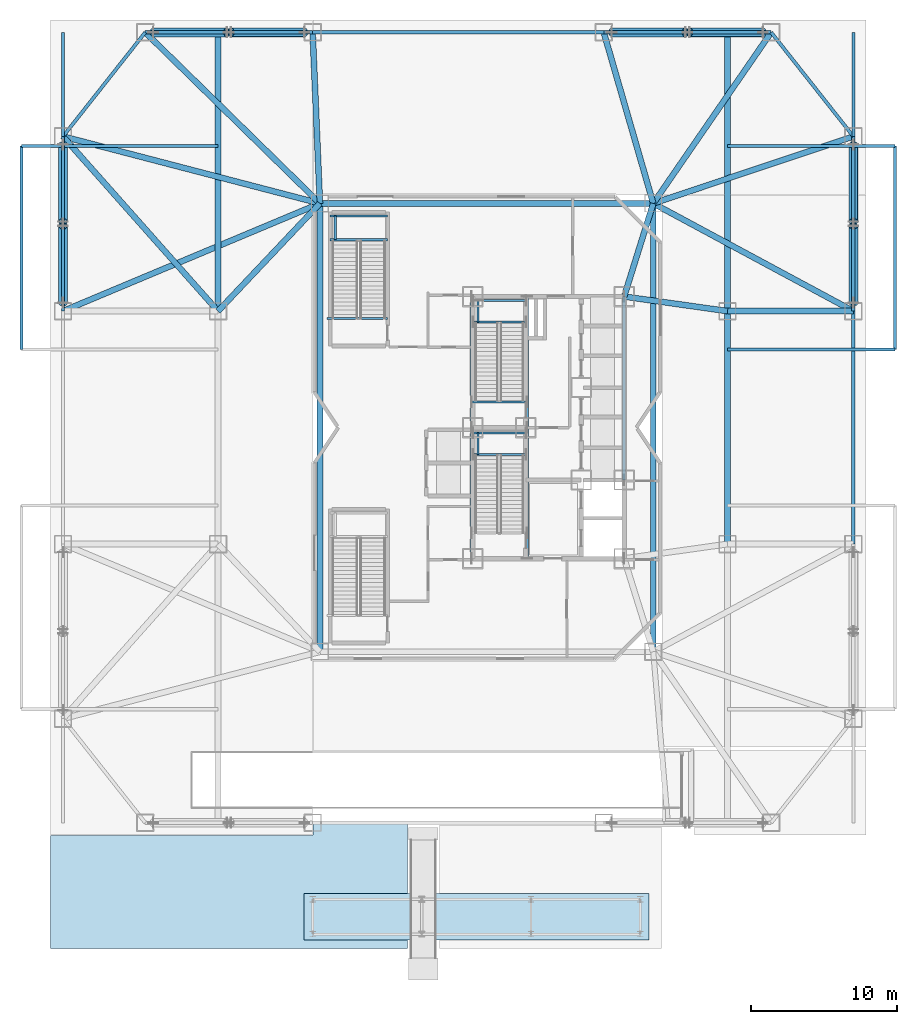
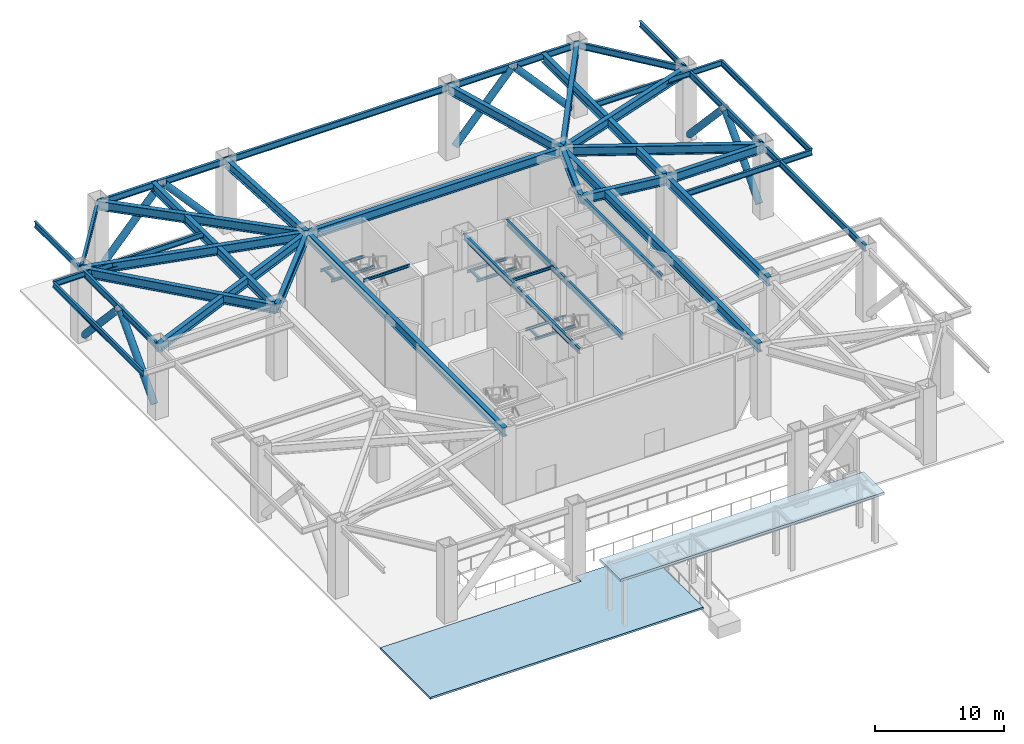
# One storey, part 3 of 14: 50 beams, 8 members, 2 slabs.
"""IFC4 building model written with IfcOpenShell, lengths in metres."""

from ifc_helpers import new_model, si_unit, direction, frame, origin, origin_2d, place, context, subcontext, project, spatial, polyline, hollow_circle, i_section, outline, extrude, material, layer, layer_set, material_profile, profile_set, type_object, element, save


model = new_model("IFC4")

# Units and contexts
model_context = context("Model", 3, precision=1e-05, world=origin(), true_north=direction((0.0, 1.0)))
body_context = subcontext(model_context, "Body", "Model", "MODEL_VIEW")
ifc_project = project(units=[si_unit("LENGTHUNIT", "METRE"), si_unit("AREAUNIT", "SQUARE_METRE"), si_unit("VOLUMEUNIT", "CUBIC_METRE"), si_unit("PLANEANGLEUNIT", "RADIAN"), si_unit("MASSUNIT", "GRAM", prefix="KILO")], contexts=[model_context])

# Site, building, storey
site_placement = place(None, origin())
site = spatial("IfcSite", under=ifc_project, at=site_placement, CompositionType="ELEMENT")
building_placement = place(site_placement, origin())
building = spatial("IfcBuilding", under=site, at=building_placement, Name="Khamvora Tower", CompositionType="ELEMENT")
storey_placement = place(building_placement, origin())
storey = spatial("IfcBuildingStorey", under=building, at=storey_placement, Name="L00", CompositionType="ELEMENT", Elevation=0.0)

# Beams
ifc_material_1 = material(Name="Steel S355", Category="steel")
ifc_material_profile_1 = material_profile(ifc_material_1, i_section(OverallWidth=0.14697265625, OverallDepth=0.261962890625, WebThickness=0.007080078125, FlangeThickness=0.010986328125, FilletRadius=0.008056640625, at=origin_2d()), Name="W250x39")
ifc_profile_set_1 = profile_set([ifc_material_profile_1], Name="Steel S355")
beam_type_1 = type_object("IfcBeamType", Name="BM-LN-W250x39", PredefinedType="LINTEL", material=ifc_profile_set_1)
for number, where, z_axis, x_axis, name in (
    (1, (29.0, 26.155029296875, 3.26904296875), (1.0, 0.0, 0.0), (0.0, 1.0, 0.0), "L00 ST-01 half-landing support beam 1.1"),
    (2, (29.0, 27.6298828125, 3.26904296875), (1.0, 0.0, 0.0), (0.0, 1.0, 0.0), "L00 ST-01 half-landing support beam 1.2"),
):
    element("IfcBeam", number, at=place(storey_placement, frame(where, z_axis=z_axis, x_axis=x_axis)), inside=storey, type_object=beam_type_1, Name=name, PredefinedType="LINTEL", context=body_context, shape_type="SweptSolid", body=[
        extrude(i_section(OverallWidth=0.14697265625, OverallDepth=0.261962890625, WebThickness=0.007080078125, FlangeThickness=0.010986328125, FilletRadius=0.008056640625, at=origin_2d()), origin(), (0.0, 0.0, 1.0), 3.64990234375),
    ])
beam_1_placement = place(storey_placement, frame((29.35009765625, 26.155029296875, 3.26904296875), z_axis=(0.0, 1.0, 0.0), x_axis=(-1.0, 0.0, 0.0)))
element("IfcBeam", 3, at=beam_1_placement, inside=storey, type_object=beam_type_1, Name="L00 ST-01 half-landing edge stringer 1", PredefinedType="LINTEL", context=body_context, shape_type="SweptSolid", body=[
    extrude(i_section(OverallWidth=0.14697265625, OverallDepth=0.261962890625, WebThickness=0.007080078125, FlangeThickness=0.010986328125, FilletRadius=0.008056640625, at=origin_2d()), origin(), (0.0, 0.0, 1.0), 1.474853515625),
])
for number, where, z_axis, x_axis, name in (
    (4, (29.0, 35.2548828125, 3.26904296875), (1.0, 0.0, 0.0), (0.0, 1.0, 0.0), "L00 ST-02 half-landing support beam 1.1"),
    (5, (29.0, 36.72998046875, 3.26904296875), (1.0, 0.0, 0.0), (0.0, 1.0, 0.0), "L00 ST-02 half-landing support beam 1.2"),
):
    element("IfcBeam", number, at=place(storey_placement, frame(where, z_axis=z_axis, x_axis=x_axis)), inside=storey, type_object=beam_type_1, Name=name, PredefinedType="LINTEL", context=body_context, shape_type="SweptSolid", body=[
        extrude(i_section(OverallWidth=0.14697265625, OverallDepth=0.261962890625, WebThickness=0.007080078125, FlangeThickness=0.010986328125, FilletRadius=0.008056640625, at=origin_2d()), origin(), (0.0, 0.0, 1.0), 3.64990234375),
    ])
beam_2_placement = place(storey_placement, frame((29.35009765625, 35.2548828125, 3.26904296875), z_axis=(0.0, 1.0, 0.0), x_axis=(-1.0, 0.0, 0.0)))
element("IfcBeam", 6, at=beam_2_placement, inside=storey, type_object=beam_type_1, Name="L00 ST-02 half-landing edge stringer 1", PredefinedType="LINTEL", context=body_context, shape_type="SweptSolid", body=[
    extrude(i_section(OverallWidth=0.14697265625, OverallDepth=0.261962890625, WebThickness=0.007080078125, FlangeThickness=0.010986328125, FilletRadius=0.008056640625, at=origin_2d()), origin(), (0.0, 0.0, 1.0), 1.47509765625),
])
for number, where, z_axis, x_axis, name in (
    (7, (19.199951171875, 40.905029296875, 3.26904296875), (1.0, 0.0, 0.0), (0.0, 1.0, 0.0), "L00 ST-04 half-landing support beam 1.1"),
    (8, (19.199951171875, 42.530029296875, 3.26904296875), (1.0, 0.0, 0.0), (0.0, 1.0, 0.0), "L00 ST-04 half-landing support beam 1.2"),
):
    element("IfcBeam", number, at=place(storey_placement, frame(where, z_axis=z_axis, x_axis=x_axis)), inside=storey, type_object=beam_type_1, Name=name, PredefinedType="LINTEL", context=body_context, shape_type="SweptSolid", body=[
        extrude(i_section(OverallWidth=0.14697265625, OverallDepth=0.261962890625, WebThickness=0.007080078125, FlangeThickness=0.010986328125, FilletRadius=0.008056640625, at=origin_2d()), origin(), (0.0, 0.0, 1.0), 3.949951171875),
    ])
beam_3_placement = place(storey_placement, frame((19.550048828125, 40.905029296875, 3.26904296875), z_axis=(0.0, 1.0, 0.0), x_axis=(-1.0, 0.0, 0.0)))
element("IfcBeam", 9, at=beam_3_placement, inside=storey, type_object=beam_type_1, Name="L00 ST-04 half-landing edge stringer 1", PredefinedType="LINTEL", context=body_context, shape_type="SweptSolid", body=[
    extrude(i_section(OverallWidth=0.14697265625, OverallDepth=0.261962890625, WebThickness=0.007080078125, FlangeThickness=0.010986328125, FilletRadius=0.008056640625, at=origin_2d()), origin(), (0.0, 0.0, 1.0), 1.625),
])
beam_4_placement = place(storey_placement, frame((28.89990234375, 29.75, 6.654052734375), z_axis=(1.0, 0.0, 0.0), x_axis=(0.0, 1.0, 0.0)))
element("IfcBeam", 10, at=beam_4_placement, inside=storey, type_object=beam_type_1, Name="L00 exit stair ST-02 landing trimmer beam", PredefinedType="LINTEL", context=body_context, shape_type="SweptSolid", body=[
    extrude(i_section(OverallWidth=0.14697265625, OverallDepth=0.261962890625, WebThickness=0.007080078125, FlangeThickness=0.010986328125, FilletRadius=0.008056640625, at=origin_2d()), origin(), (0.0, 0.0, 1.0), 3.830078125),
])
beam_5_placement = place(storey_placement, frame((19.0, 35.5, 6.654052734375), z_axis=(1.0, 0.0, 0.0), x_axis=(0.0, 1.0, 0.0)))
element("IfcBeam", 11, at=beam_5_placement, inside=storey, type_object=beam_type_1, Name="L00 podium stair ST04 landing trimmer beam", PredefinedType="LINTEL", context=body_context, shape_type="SweptSolid", body=[
    extrude(i_section(OverallWidth=0.14697265625, OverallDepth=0.261962890625, WebThickness=0.007080078125, FlangeThickness=0.010986328125, FilletRadius=0.008056640625, at=origin_2d()), origin(), (0.0, 0.0, 1.0), 4.14990234375),
])
ifc_material_profile_2 = material_profile(ifc_material_1, i_section(OverallWidth=0.39990234375, OverallDepth=0.85498046875, WebThickness=0.01806640625, FlangeThickness=0.029052734375, FilletRadius=0.01806640625, at=origin_2d()), Name="W840x299")
ifc_profile_set_2 = profile_set([ifc_material_profile_2], Name="Steel S355")
beam_type_2 = type_object("IfcBeamType", Name="BM-PG-W840x299", PredefinedType="BEAM", material=ifc_profile_set_2)
for number, where, z_axis, x_axis, name in (
    (12, (18.5, 12.60009765625, 6.35302734375), (0.0, 1.0, 0.0), (-1.0, 0.0, 0.0), "L00 longitudinal frame girder P17-P19"),
    (13, (41.39990234375, 12.60009765625, 6.35302734375), (0.0, 1.0, 0.0), (-1.0, 0.0, 0.0), "L00 longitudinal frame girder P18-P20"),
):
    element("IfcBeam", number, at=place(storey_placement, frame(where, z_axis=z_axis, x_axis=x_axis)), inside=storey, type_object=beam_type_2, Name=name, PredefinedType="BEAM", context=body_context, shape_type="SweptSolid", body=[
        extrude(i_section(OverallWidth=0.39990234375, OverallDepth=0.85498046875, WebThickness=0.01806640625, FlangeThickness=0.029052734375, FilletRadius=0.01806640625, at=origin_2d()), origin(), (0.0, 0.0, 1.0), 30.7998046875),
    ])
beam_6_placement = place(storey_placement, frame((18.5, 43.39990234375, 6.35302734375), z_axis=(1.0, 0.0, 0.0), x_axis=(0.0, 1.0, 0.0)))
element("IfcBeam", 14, at=beam_6_placement, inside=storey, type_object=beam_type_2, Name="L00 longitudinal frame girder P19-P20", PredefinedType="BEAM", context=body_context, shape_type="SweptSolid", body=[
    extrude(i_section(OverallWidth=0.39990234375, OverallDepth=0.85498046875, WebThickness=0.01806640625, FlangeThickness=0.029052734375, FilletRadius=0.01806640625, at=origin_2d()), origin(), (0.0, 0.0, 1.0), 22.89990234375),
])
beam_7_placement = place(storey_placement, frame((46.5, 20.0, 6.35302734375), z_axis=(0.0, 1.0, 0.0), x_axis=(-1.0, 0.0, 0.0)))
element("IfcBeam", 15, at=beam_7_placement, inside=storey, type_object=beam_type_2, Name="L00 longitudinal frame girder P23-P24", PredefinedType="BEAM", context=body_context, shape_type="SweptSolid", body=[
    extrude(i_section(OverallWidth=0.39990234375, OverallDepth=0.85498046875, WebThickness=0.01806640625, FlangeThickness=0.029052734375, FilletRadius=0.01806640625, at=origin_2d()), origin(), (0.0, 0.0, 1.0), 16.0),
])
beam_8_placement = place(storey_placement, frame((18.5, 43.39990234375, 6.35302734375), z_axis=(-0.714510426493, 0.699624792608, 0.0), x_axis=(-0.699624792608, -0.714510426493, 0.0)))
element("IfcBeam", 16, at=beam_8_placement, inside=storey, type_object=beam_type_2, Name="L00 primary floor girder P05", PredefinedType="BEAM", context=body_context, shape_type="SweptSolid", body=[
    extrude(i_section(OverallWidth=0.39990234375, OverallDepth=0.85498046875, WebThickness=0.01806640625, FlangeThickness=0.029052734375, FilletRadius=0.01806640625, at=origin_2d()), origin(), (0.0, 0.0, 1.0), 16.794677734375),
])
beam_9_placement = place(storey_placement, frame((18.5, 43.39990234375, 6.35302734375), z_axis=(-0.042514716625, 0.999095840683, 0.0), x_axis=(-0.999095840683, -0.042514716625, 0.0)))
element("IfcBeam", 17, at=beam_9_placement, inside=storey, type_object=beam_type_2, Name="L00 primary floor girder P06", PredefinedType="BEAM", context=body_context, shape_type="SweptSolid", body=[
    extrude(i_section(OverallWidth=0.39990234375, OverallDepth=0.85498046875, WebThickness=0.01806640625, FlangeThickness=0.029052734375, FilletRadius=0.01806640625, at=origin_2d()), origin(), (0.0, 0.0, 1.0), 11.7607421875),
])
beam_10_placement = place(storey_placement, frame((41.39990234375, 43.39990234375, 6.35302734375), z_axis=(-0.277951455854, 0.960595121885, 0.0), x_axis=(-0.960595121885, -0.277951455854, 0.0)))
element("IfcBeam", 18, at=beam_10_placement, inside=storey, type_object=beam_type_2, Name="L00 primary floor girder P07", PredefinedType="BEAM", context=body_context, shape_type="SweptSolid", body=[
    extrude(i_section(OverallWidth=0.39990234375, OverallDepth=0.85498046875, WebThickness=0.01806640625, FlangeThickness=0.029052734375, FilletRadius=0.01806640625, at=origin_2d()), origin(), (0.0, 0.0, 1.0), 12.23193359375),
])
beam_11_placement = place(storey_placement, frame((41.39990234375, 43.39990234375, 6.35302734375), z_axis=(0.567573841069, 0.823322497527, 0.0), x_axis=(-0.823322497527, 0.567573841069, 0.0)))
element("IfcBeam", 19, at=beam_11_placement, inside=storey, type_object=beam_type_2, Name="L00 primary floor girder P08", PredefinedType="BEAM", context=body_context, shape_type="SweptSolid", body=[
    extrude(i_section(OverallWidth=0.39990234375, OverallDepth=0.85498046875, WebThickness=0.01806640625, FlangeThickness=0.029052734375, FilletRadius=0.01806640625, at=origin_2d()), origin(), (0.0, 0.0, 1.0), 14.271484375),
])
beam_12_placement = place(storey_placement, frame((11.5, 36.0, 6.35302734375), z_axis=(-0.6637799472, 0.747927925468, 0.0), x_axis=(-0.747927925468, -0.6637799472, 0.0)))
element("IfcBeam", 20, at=beam_12_placement, inside=storey, type_object=beam_type_2, Name="L00 primary floor girder P12", PredefinedType="BEAM", context=body_context, shape_type="SweptSolid", body=[
    extrude(i_section(OverallWidth=0.39990234375, OverallDepth=0.85498046875, WebThickness=0.01806640625, FlangeThickness=0.029052734375, FilletRadius=0.01806640625, at=origin_2d()), origin(), (0.0, 0.0, 1.0), 16.04443359375),
])
beam_13_placement = place(storey_placement, frame((46.5, 36.0, 6.35302734375), z_axis=(1.0, 0.0, 0.0), x_axis=(0.0, 1.0, 0.0)))
element("IfcBeam", 21, at=beam_13_placement, inside=storey, type_object=beam_type_2, Name="L00 primary floor girder P15", PredefinedType="BEAM", context=body_context, shape_type="SweptSolid", body=[
    extrude(i_section(OverallWidth=0.39990234375, OverallDepth=0.85498046875, WebThickness=0.01806640625, FlangeThickness=0.029052734375, FilletRadius=0.01806640625, at=origin_2d()), origin(), (0.0, 0.0, 1.0), 8.64990234375),
])
beam_14_placement = place(storey_placement, frame((41.39990234375, 43.39990234375, 6.35302734375), z_axis=(0.948335857324, 0.31726818579, 0.0), x_axis=(-0.31726818579, 0.948335857324, 0.0)))
element("IfcBeam", 22, at=beam_14_placement, inside=storey, type_object=beam_type_2, Name="L00 primary floor girder P16", PredefinedType="BEAM", context=body_context, shape_type="SweptSolid", body=[
    extrude(i_section(OverallWidth=0.39990234375, OverallDepth=0.85498046875, WebThickness=0.01806640625, FlangeThickness=0.029052734375, FilletRadius=0.01806640625, at=origin_2d()), origin(), (0.0, 0.0, 1.0), 14.4990234375),
])
beam_15_placement = place(storey_placement, frame((39.39990234375, 37.0, 6.35302734375), z_axis=(0.298279139585, 0.95447868226, 0.0), x_axis=(-0.95447868226, 0.298279139585, 0.0)))
element("IfcBeam", 23, at=beam_15_placement, inside=storey, type_object=beam_type_2, Name="L00 primary floor girder P20", PredefinedType="BEAM", context=body_context, shape_type="SweptSolid", body=[
    extrude(i_section(OverallWidth=0.39990234375, OverallDepth=0.85498046875, WebThickness=0.01806640625, FlangeThickness=0.029052734375, FilletRadius=0.01806640625, at=origin_2d()), origin(), (0.0, 0.0, 1.0), 6.705078125),
])
beam_16_placement = place(storey_placement, frame((18.5, 43.39990234375, 6.35302734375), z_axis=(-0.687204640029, -0.726463889483, 0.0), x_axis=(0.726463889483, -0.687204640029, 0.0)))
element("IfcBeam", 24, at=beam_16_placement, inside=storey, type_object=beam_type_2, Name="L00 primary floor girder P22", PredefinedType="BEAM", context=body_context, shape_type="SweptSolid", body=[
    extrude(i_section(OverallWidth=0.39990234375, OverallDepth=0.85498046875, WebThickness=0.01806640625, FlangeThickness=0.029052734375, FilletRadius=0.01806640625, at=origin_2d()), origin(), (0.0, 0.0, 1.0), 10.186279296875),
])
beam_17_placement = place(storey_placement, frame((39.39990234375, 37.0, 6.35302734375), z_axis=(0.990226770029, -0.139466640879, 0.0), x_axis=(0.139466640879, 0.990226770029, 0.0)))
element("IfcBeam", 25, at=beam_17_placement, inside=storey, type_object=beam_type_2, Name="L00 primary floor girder P24", PredefinedType="BEAM", context=body_context, shape_type="SweptSolid", body=[
    extrude(i_section(OverallWidth=0.39990234375, OverallDepth=0.85498046875, WebThickness=0.01806640625, FlangeThickness=0.029052734375, FilletRadius=0.01806640625, at=origin_2d()), origin(), (0.0, 0.0, 1.0), 7.170166015625),
])
beam_18_placement = place(storey_placement, frame((55.14990234375, 36.0, 6.35302734375), z_axis=(-0.880576508414, 0.473904012252, 0.0), x_axis=(-0.473904012252, -0.880576508414, 0.0)))
element("IfcBeam", 26, at=beam_18_placement, inside=storey, type_object=beam_type_2, Name="L00 east plinth tie girder 3", PredefinedType="BEAM", context=body_context, shape_type="SweptSolid", body=[
    extrude(i_section(OverallWidth=0.39990234375, OverallDepth=0.85498046875, WebThickness=0.01806640625, FlangeThickness=0.029052734375, FilletRadius=0.01806640625, at=origin_2d()), origin(), (0.0, 0.0, 1.0), 15.61474609375),
])
beam_19_placement = place(storey_placement, frame((46.5, 36.0, 6.35302734375), z_axis=(0.0, 1.0, 0.0), x_axis=(-1.0, 0.0, 0.0)))
element("IfcBeam", 27, at=beam_19_placement, inside=storey, type_object=beam_type_2, Name="L00 gallery collector girder E.3", PredefinedType="BEAM", context=body_context, shape_type="SweptSolid", body=[
    extrude(i_section(OverallWidth=0.39990234375, OverallDepth=0.85498046875, WebThickness=0.01806640625, FlangeThickness=0.029052734375, FilletRadius=0.01806640625, at=origin_2d()), origin(), (0.0, 0.0, 1.0), 19.14990234375),
])
beam_20_placement = place(storey_placement, frame((0.85009765625, 36.0, 6.35302734375), z_axis=(0.922225491396, 0.386652483529, 0.0), x_axis=(-0.386652483529, 0.922225491396, 0.0)))
element("IfcBeam", 28, at=beam_20_placement, inside=storey, type_object=beam_type_2, Name="L00 west plinth tie girder 3", PredefinedType="BEAM", context=body_context, shape_type="SweptSolid", body=[
    extrude(i_section(OverallWidth=0.39990234375, OverallDepth=0.85498046875, WebThickness=0.01806640625, FlangeThickness=0.029052734375, FilletRadius=0.01806640625, at=origin_2d()), origin(), (0.0, 0.0, 1.0), 19.138427734375),
])
beam_21_placement = place(storey_placement, frame((0.85009765625, 48.0, 6.35302734375), z_axis=(0.967673821538, -0.252205025942, 0.0), x_axis=(0.252205025942, 0.967673821538, 0.0)))
element("IfcBeam", 29, at=beam_21_placement, inside=storey, type_object=beam_type_2, Name="L00 west plinth tie girder 4", PredefinedType="BEAM", context=body_context, shape_type="SweptSolid", body=[
    extrude(i_section(OverallWidth=0.39990234375, OverallDepth=0.85498046875, WebThickness=0.01806640625, FlangeThickness=0.029052734375, FilletRadius=0.01806640625, at=origin_2d()), origin(), (0.0, 0.0, 1.0), 18.239501953125),
])
beam_22_placement = place(storey_placement, frame((11.5, 36.0, 6.35302734375), z_axis=(0.0, 1.0, 0.0), x_axis=(-1.0, 0.0, 0.0)))
element("IfcBeam", 30, at=beam_22_placement, inside=storey, type_object=beam_type_2, Name="L00 gallery collector girder W.3", PredefinedType="BEAM", context=body_context, shape_type="SweptSolid", body=[
    extrude(i_section(OverallWidth=0.39990234375, OverallDepth=0.85498046875, WebThickness=0.01806640625, FlangeThickness=0.029052734375, FilletRadius=0.01806640625, at=origin_2d()), origin(), (0.0, 0.0, 1.0), 19.14990234375),
])
ifc_material_profile_3 = material_profile(ifc_material_1, i_section(OverallWidth=0.2119140625, OverallDepth=0.5439453125, WebThickness=0.012939453125, FlangeThickness=0.02099609375, FilletRadius=0.013916015625, at=origin_2d()), Name="W530x123")
ifc_profile_set_3 = profile_set([ifc_material_profile_3], Name="Steel S355")
beam_type_3 = type_object("IfcBeamType", Name="BM-SP-W530x123", PredefinedType="SPANDREL", material=ifc_profile_set_3)
for number, where, z_axis, x_axis, name in (
    (31, (55.14990234375, 48.0, 6.508056640625), (0.0, 1.0, 0.0), (-1.0, 0.0, 0.0), "L00 E perimeter edge spandrel 5"),
    (32, (0.85009765625, 48.0, 6.508056640625), (0.0, 1.0, 0.0), (-1.0, 0.0, 0.0), "L00 W perimeter edge spandrel 5"),
):
    element("IfcBeam", number, at=place(storey_placement, frame(where, z_axis=z_axis, x_axis=x_axis)), inside=storey, type_object=beam_type_3, Name=name, PredefinedType="SPANDREL", context=body_context, shape_type="SweptSolid", body=[
        extrude(i_section(OverallWidth=0.2119140625, OverallDepth=0.5439453125, WebThickness=0.012939453125, FlangeThickness=0.02099609375, FilletRadius=0.013916015625, at=origin_2d()), origin(), (0.0, 0.0, 1.0), 7.14990234375),
    ])
ifc_material_profile_4 = material_profile(ifc_material_1, i_section(OverallWidth=0.208984375, OverallDepth=0.532958984375, WebThickness=0.010009765625, FlangeThickness=0.01611328125, FilletRadius=0.013916015625, at=origin_2d()), Name="W530x92")
ifc_profile_set_4 = profile_set([ifc_material_profile_4], Name="Steel S355")
beam_type_4 = type_object("IfcBeamType", Name="BM-SP-W530x92", PredefinedType="SPANDREL", material=ifc_profile_set_4)
for number, where, z_axis, x_axis, name in (
    (33, (28.89990234375, 19.0, 6.513916015625), (0.0, 1.0, 0.0), (-1.0, 0.0, 0.0), "L00 core spine girder WS"),
    (34, (28.89990234375, 28.0, 6.513916015625), (0.0, 1.0, 0.0), (-1.0, 0.0, 0.0), "L00 core spine girder WN"),
    (35, (32.72998046875, 19.0, 6.513916015625), (0.0, 1.0, 0.0), (-1.0, 0.0, 0.0), "L00 core spine girder M1S"),
    (36, (32.72998046875, 28.0, 6.513916015625), (0.0, 1.0, 0.0), (-1.0, 0.0, 0.0), "L00 core spine girder M1N"),
):
    element("IfcBeam", number, at=place(storey_placement, frame(where, z_axis=z_axis, x_axis=x_axis)), inside=storey, type_object=beam_type_4, Name=name, PredefinedType="SPANDREL", context=body_context, shape_type="SweptSolid", body=[
        extrude(i_section(OverallWidth=0.208984375, OverallDepth=0.532958984375, WebThickness=0.010009765625, FlangeThickness=0.01611328125, FilletRadius=0.013916015625, at=origin_2d()), origin(), (0.0, 0.0, 1.0), 9.0),
    ])
beam_23_placement = place(storey_placement, frame((39.39990234375, 24.39990234375, 6.513916015625), z_axis=(0.0, 1.0, 0.0), x_axis=(-1.0, 0.0, 0.0)))
element("IfcBeam", 37, at=beam_23_placement, inside=storey, type_object=beam_type_4, Name="L00 core spine girder EN", PredefinedType="SPANDREL", context=body_context, shape_type="SweptSolid", body=[
    extrude(i_section(OverallWidth=0.208984375, OverallDepth=0.532958984375, WebThickness=0.010009765625, FlangeThickness=0.01611328125, FilletRadius=0.013916015625, at=origin_2d()), origin(), (0.0, 0.0, 1.0), 12.60009765625),
])
for number, where, z_axis, x_axis, name in (
    (38, (46.5, 33.35009765625, 6.513916015625), (1.0, 0.0, 0.0), (0.0, 1.0, 0.0), "L00 continuous gallery cantilever girder L01-EL2-1"),
    (39, (46.5, 47.35009765625, 6.513916015625), (1.0, 0.0, 0.0), (0.0, 1.0, 0.0), "L00 continuous gallery cantilever girder L01-EL2-2"),
):
    element("IfcBeam", number, at=place(storey_placement, frame(where, z_axis=z_axis, x_axis=x_axis)), inside=storey, type_object=beam_type_4, Name=name, PredefinedType="SPANDREL", context=body_context, shape_type="SweptSolid", body=[
        extrude(i_section(OverallWidth=0.208984375, OverallDepth=0.532958984375, WebThickness=0.010009765625, FlangeThickness=0.01611328125, FilletRadius=0.013916015625, at=origin_2d()), origin(), (0.0, 0.0, 1.0), 11.5),
    ])
beam_24_placement = place(storey_placement, frame((58.0, 33.35009765625, 6.513916015625), z_axis=(0.0, 1.0, 0.0), x_axis=(-1.0, 0.0, 0.0)))
element("IfcBeam", 40, at=beam_24_placement, inside=storey, type_object=beam_type_4, Name="L00 external gallery edge header beam L01-EL2", PredefinedType="SPANDREL", context=body_context, shape_type="SweptSolid", body=[
    extrude(i_section(OverallWidth=0.208984375, OverallDepth=0.532958984375, WebThickness=0.010009765625, FlangeThickness=0.01611328125, FilletRadius=0.013916015625, at=origin_2d()), origin(), (0.0, 0.0, 1.0), 14.0),
])
beam_25_placement = place(storey_placement, frame((11.5, 47.35009765625, 6.513916015625), z_axis=(-1.0, 0.0, 0.0), x_axis=(0.0, -1.0, 0.0)))
element("IfcBeam", 41, at=beam_25_placement, inside=storey, type_object=beam_type_4, Name="L00 continuous gallery cantilever girder L01-WL2-2", PredefinedType="SPANDREL", context=body_context, shape_type="SweptSolid", body=[
    extrude(i_section(OverallWidth=0.208984375, OverallDepth=0.532958984375, WebThickness=0.010009765625, FlangeThickness=0.01611328125, FilletRadius=0.013916015625, at=origin_2d()), origin(), (0.0, 0.0, 1.0), 13.5),
])
beam_26_placement = place(storey_placement, frame((-2.0, 33.35009765625, 6.513916015625), z_axis=(0.0, 1.0, 0.0), x_axis=(-1.0, 0.0, 0.0)))
element("IfcBeam", 42, at=beam_26_placement, inside=storey, type_object=beam_type_4, Name="L00 external gallery edge header beam L01-WL2", PredefinedType="SPANDREL", context=body_context, shape_type="SweptSolid", body=[
    extrude(i_section(OverallWidth=0.208984375, OverallDepth=0.532958984375, WebThickness=0.010009765625, FlangeThickness=0.01611328125, FilletRadius=0.013916015625, at=origin_2d()), origin(), (0.0, 0.0, 1.0), 14.0),
])
ifc_material_profile_5 = material_profile(ifc_material_1, i_section(OverallWidth=0.22998046875, OverallDepth=0.616943359375, WebThickness=0.012939453125, FlangeThickness=0.02197265625, FilletRadius=0.013916015625, at=origin_2d()), Name="W610x140")
ifc_profile_set_5 = profile_set([ifc_material_profile_5], Name="Steel S355")
beam_type_5 = type_object("IfcBeamType", Name="BM-SP-W610x140", PredefinedType="SPANDREL", material=ifc_profile_set_5)
beam_27_placement = place(storey_placement, frame((55.14990234375, 20.0, 6.471923828125), z_axis=(0.0, 1.0, 0.0), x_axis=(-1.0, 0.0, 0.0)))
element("IfcBeam", 43, at=beam_27_placement, inside=storey, type_object=beam_type_5, Name="L00 perimeter spandrel beam P14-P15", PredefinedType="SPANDREL", context=body_context, shape_type="SweptSolid", body=[
    extrude(i_section(OverallWidth=0.22998046875, OverallDepth=0.616943359375, WebThickness=0.012939453125, FlangeThickness=0.02197265625, FilletRadius=0.013916015625, at=origin_2d()), origin(), (0.0, 0.0, 1.0), 16.0),
])
beam_28_placement = place(storey_placement, frame((55.14990234375, 36.0, 6.471923828125), z_axis=(0.0, 1.0, 0.0), x_axis=(-1.0, 0.0, 0.0)))
element("IfcBeam", 44, at=beam_28_placement, inside=storey, type_object=beam_type_5, Name="L00 perimeter spandrel beam P15-P16", PredefinedType="SPANDREL", context=body_context, shape_type="SweptSolid", body=[
    extrude(i_section(OverallWidth=0.22998046875, OverallDepth=0.616943359375, WebThickness=0.012939453125, FlangeThickness=0.02197265625, FilletRadius=0.013916015625, at=origin_2d()), origin(), (0.0, 0.0, 1.0), 12.0),
])
beam_29_placement = place(storey_placement, frame((55.14990234375, 48.0, 6.471923828125), z_axis=(-0.619998635429, 0.784602888133, 0.0), x_axis=(-0.784602888133, -0.619998635429, 0.0)))
element("IfcBeam", 45, at=beam_29_placement, inside=storey, type_object=beam_type_5, Name="L00 perimeter spandrel beam P16-P08", PredefinedType="SPANDREL", context=body_context, shape_type="SweptSolid", body=[
    extrude(i_section(OverallWidth=0.22998046875, OverallDepth=0.616943359375, WebThickness=0.012939453125, FlangeThickness=0.02197265625, FilletRadius=0.013916015625, at=origin_2d()), origin(), (0.0, 0.0, 1.0), 9.11279296875),
])
beam_30_placement = place(storey_placement, frame((49.5, 55.14990234375, 6.471923828125), z_axis=(-1.0, 0.0, 0.0), x_axis=(0.0, -1.0, 0.0)))
element("IfcBeam", 46, at=beam_30_placement, inside=storey, type_object=beam_type_5, Name="L00 perimeter spandrel beam P08-P07", PredefinedType="SPANDREL", context=body_context, shape_type="SweptSolid", body=[
    extrude(i_section(OverallWidth=0.22998046875, OverallDepth=0.616943359375, WebThickness=0.012939453125, FlangeThickness=0.02197265625, FilletRadius=0.013916015625, at=origin_2d()), origin(), (0.0, 0.0, 1.0), 11.5),
])
beam_31_placement = place(storey_placement, frame((38.0, 55.14990234375, 6.471923828125), z_axis=(-1.0, 0.0, 0.0), x_axis=(0.0, -1.0, 0.0)))
element("IfcBeam", 47, at=beam_31_placement, inside=storey, type_object=beam_type_5, Name="L00 perimeter spandrel beam P07-P06", PredefinedType="SPANDREL", context=body_context, shape_type="SweptSolid", body=[
    extrude(i_section(OverallWidth=0.22998046875, OverallDepth=0.616943359375, WebThickness=0.012939453125, FlangeThickness=0.02197265625, FilletRadius=0.013916015625, at=origin_2d()), origin(), (0.0, 0.0, 1.0), 20.0),
])
beam_32_placement = place(storey_placement, frame((18.0, 55.14990234375, 6.471923828125), z_axis=(-1.0, 0.0, 0.0), x_axis=(0.0, -1.0, 0.0)))
element("IfcBeam", 48, at=beam_32_placement, inside=storey, type_object=beam_type_5, Name="L00 perimeter spandrel beam P06-P05", PredefinedType="SPANDREL", context=body_context, shape_type="SweptSolid", body=[
    extrude(i_section(OverallWidth=0.22998046875, OverallDepth=0.616943359375, WebThickness=0.012939453125, FlangeThickness=0.02197265625, FilletRadius=0.013916015625, at=origin_2d()), origin(), (0.0, 0.0, 1.0), 11.5),
])
beam_33_placement = place(storey_placement, frame((6.5, 55.14990234375, 6.471923828125), z_axis=(-0.619998635429, -0.784602888133, 0.0), x_axis=(0.784602888133, -0.619998635429, 0.0)))
element("IfcBeam", 49, at=beam_33_placement, inside=storey, type_object=beam_type_5, Name="L00 perimeter spandrel beam P05-P12", PredefinedType="SPANDREL", context=body_context, shape_type="SweptSolid", body=[
    extrude(i_section(OverallWidth=0.22998046875, OverallDepth=0.616943359375, WebThickness=0.012939453125, FlangeThickness=0.02197265625, FilletRadius=0.013916015625, at=origin_2d()), origin(), (0.0, 0.0, 1.0), 9.11279296875),
])
beam_34_placement = place(storey_placement, frame((0.85009765625, 48.0, 6.471923828125), z_axis=(0.0, -1.0, 0.0), x_axis=(1.0, 0.0, 0.0)))
element("IfcBeam", 50, at=beam_34_placement, inside=storey, type_object=beam_type_5, Name="L00 perimeter spandrel beam P12-P11", PredefinedType="SPANDREL", context=body_context, shape_type="SweptSolid", body=[
    extrude(i_section(OverallWidth=0.22998046875, OverallDepth=0.616943359375, WebThickness=0.012939453125, FlangeThickness=0.02197265625, FilletRadius=0.013916015625, at=origin_2d()), origin(), (0.0, 0.0, 1.0), 12.0),
])

# Members
ifc_material_2 = material(Name="Steel S460", Category="steel")
ifc_material_profile_6 = material_profile(ifc_material_2, hollow_circle(Radius=0.304931640625, WallThickness=0.028076171875, at=origin_2d()), Name="CHS610x28")
ifc_profile_set_6 = profile_set([ifc_material_profile_6], Name="Steel S460")
member_type = type_object("IfcMemberType", Name="MEM-BR-CHS610", PredefinedType="BRACE", material=ifc_profile_set_6)
for number, where, z_axis, x_axis, name in (
    (51, (7.06005859375, 55.14990234375, 0.666015625), (0.666411891371, 0.0, 0.745583792098), (0.0, 1.0, 0.0), "L00 pilotis V-brace 03A"),
    (52, (17.43994140625, 55.14990234375, 0.666015625), (-0.666411891371, 0.0, 0.745583792098), (0.0, -1.0, 0.0), "L00 pilotis V-brace 03B"),
    (53, (38.56005859375, 55.14990234375, 0.666015625), (0.666411891371, 0.0, 0.745583792098), (0.0, 1.0, 0.0), "L00 pilotis V-brace 04A"),
    (54, (48.93994140625, 55.14990234375, 0.666015625), (-0.666411891371, 0.0, 0.745583792098), (0.0, -1.0, 0.0), "L00 pilotis V-brace 04B"),
):
    element("IfcMember", number, at=place(storey_placement, frame(where, z_axis=z_axis, x_axis=x_axis)), inside=storey, type_object=member_type, Name=name, PredefinedType="BRACE", context=body_context, shape_type="SweptSolid", body=[
        extrude(hollow_circle(Radius=0.304931640625, WallThickness=0.028076171875, at=origin_2d()), origin(), (0.0, 0.0, 1.0), 7.5673828125),
    ])
for number, where, z_axis, x_axis, name in (
    (55, (0.85009765625, 36.572998046875, 0.654052734375), (0.0, 0.682128204107, 0.731232598536), (-1.0, 0.0, 0.0), "L00 pilotis V-brace 06A"),
    (56, (0.85009765625, 47.427001953125, 0.654052734375), (0.0, -0.682128204107, 0.731232598536), (1.0, 0.0, 0.0), "L00 pilotis V-brace 06B"),
    (57, (55.14990234375, 36.572998046875, 0.654052734375), (0.0, 0.682128204107, 0.731232598536), (-1.0, 0.0, 0.0), "L00 pilotis V-brace 08A"),
    (58, (55.14990234375, 47.427001953125, 0.654052734375), (0.0, -0.682128204107, 0.731232598536), (1.0, 0.0, 0.0), "L00 pilotis V-brace 08B"),
):
    element("IfcMember", number, at=place(storey_placement, frame(where, z_axis=z_axis, x_axis=x_axis)), inside=storey, type_object=member_type, Name=name, PredefinedType="BRACE", context=body_context, shape_type="SweptSolid", body=[
        extrude(hollow_circle(Radius=0.304931640625, WallThickness=0.028076171875, at=origin_2d()), origin(), (0.0, 0.0, 1.0), 7.736328125),
    ])

# Slabs
ifc_material_3 = material(Name="Concrete C35/45", Category="concrete")
ifc_layer_1 = layer(ifc_material_3, 0.179931640625)
ifc_layer_set_1 = layer_set([ifc_layer_1], Name="Concrete C35/45")
slab_type_1 = type_object("IfcSlabType", Name="SLB-PAV-180", PredefinedType="USERDEFINED", material=ifc_layer_set_1)
slab_1_placement = place(storey_placement, frame((0.0, 0.0, -0.179931640625)))
element("IfcSlab", 59, at=slab_1_placement, inside=storey, type_object=slab_type_1, Name="L00 flood-protected public plaza paving apron SW1", ObjectType="PAVING", PredefinedType="USERDEFINED", context=body_context, shape_type="SweptSolid", body=[
    extrude(outline(polyline([(24.5, 0.800048828125), (24.5, -7.800048828125), (0.0, -7.800048828125), (0.0, -0.010009765625), (18.0, -0.010009765625), (18.0009765625, -0.010009765625), (18.001953125, -0.010009765625), (18.0029296875, -0.010009765625), (18.00390625, -0.009033203125), (18.0048828125, -0.009033203125), (18.006103515625, -0.008056640625), (18.006103515625, -0.008056640625), (18.007080078125, -0.007080078125), (18.008056640625, -0.006103515625), (18.008056640625, -0.006103515625), (18.009033203125, -0.0048828125), (18.009033203125, -0.00390625), (18.010009765625, -0.0029296875), (18.010009765625, -0.001953125), (18.010009765625, -0.0009765625), (18.010009765625, 0.0), (18.010009765625, 0.800048828125), (24.5, 0.800048828125)])), origin(), (0.0, 0.0, 1.0), 0.179931640625),
])
ifc_layer_2 = layer(ifc_material_3, 0.239990234375)
ifc_layer_set_2 = layer_set([ifc_layer_2], Name="Concrete C35/45")
slab_type_2 = type_object("IfcSlabType", Name="SLB-TERR-240", PredefinedType="ROOF", material=ifc_layer_set_2)
slab_2_placement = place(storey_placement, frame((0.0, 0.0, 4.5)))
element("IfcSlab", 60, at=slab_2_placement, inside=storey, type_object=slab_type_2, Name="L00 south entrance drop-off canopy slab", PredefinedType="ROOF", context=body_context, shape_type="SweptSolid", body=[
    extrude(outline(polyline([(17.39990234375, -7.199951171875), (41.10009765625, -7.199951171875), (41.10009765625, -4.0), (17.39990234375, -4.0), (17.39990234375, -7.199951171875)])), origin(), (0.0, 0.0, 1.0), 0.239990234375),
])

save(model, "model.ifc")
